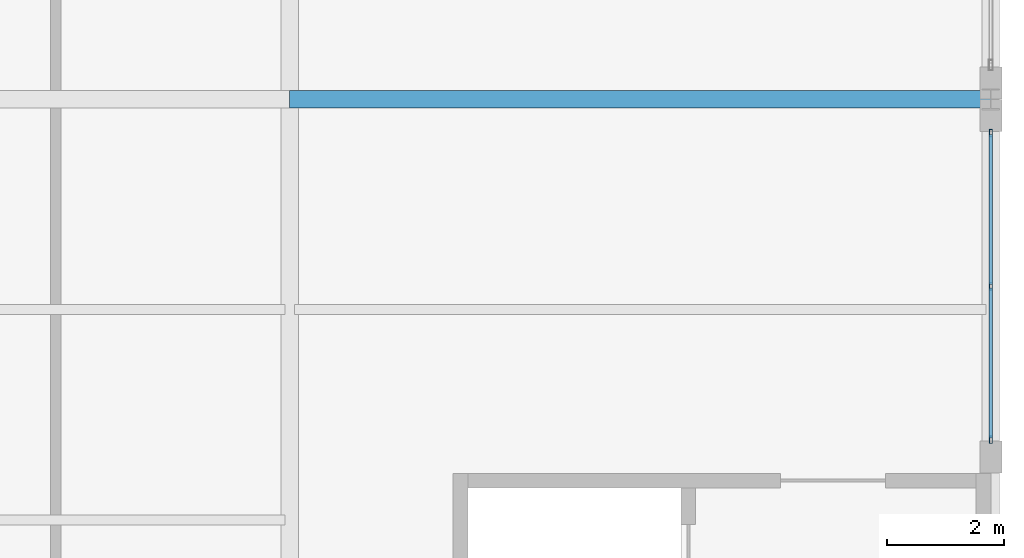
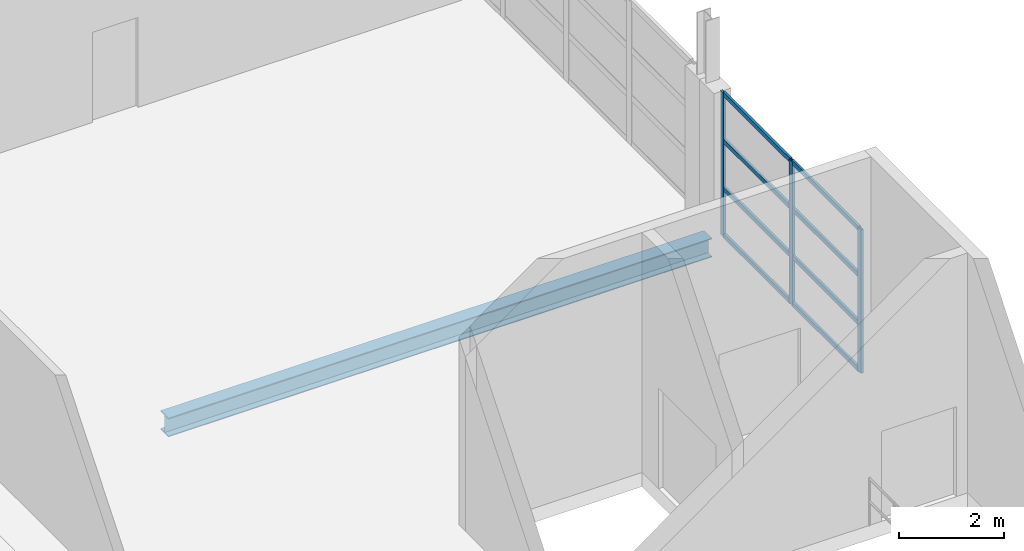
# One storey, part 44 of 86: 11 members, 1 beam, 1 element without a shape of its own.
"""IFC4 building model written with IfcOpenShell, lengths in metres."""

from ifc_helpers import new_model, si_unit, direction, frame, origin, origin_2d, place, context, subcontext, project, spatial, hollow_rectangle, i_section, extrude, material, layer, layer_set, material_profile, profile_set, type_object, element, aggregate, save


model = new_model("IFC4")

# Units and contexts
model_context = context("Model", 3, precision=1e-05, world=origin(), true_north=direction((0.0, 1.0)))
body_context = subcontext(model_context, "Body", "Model", "MODEL_VIEW")
ifc_project = project(units=[si_unit("LENGTHUNIT", "METRE"), si_unit("AREAUNIT", "SQUARE_METRE"), si_unit("VOLUMEUNIT", "CUBIC_METRE"), si_unit("PLANEANGLEUNIT", "RADIAN"), si_unit("MASSUNIT", "GRAM", prefix="KILO")], contexts=[model_context])

# Site, building, storey
site_placement = place(None, origin())
site = spatial("IfcSite", under=ifc_project, at=site_placement, CompositionType="ELEMENT")
building_placement = place(site_placement, origin())
building = spatial("IfcBuilding", under=site, at=building_placement, Name="Zilviju Railside Exhibition Hall", CompositionType="ELEMENT")
storey_placement = place(building_placement, frame((0.0, 0.0, 12.60009765625)))
storey = spatial("IfcBuildingStorey", under=building, at=storey_placement, Name="L04", CompositionType="ELEMENT", Elevation=12.60009765625)

# Beam
ifc_material_1 = material(Name="Steel S355J2", Category="steel")
ifc_material_profile_1 = material_profile(ifc_material_1, i_section(OverallWidth=0.300048828125, OverallDepth=0.43994140625, WebThickness=0.011474609375, FlangeThickness=0.02099609375, at=origin_2d()), Name="HEA 450")
ifc_profile_set_1 = profile_set([ifc_material_profile_1], Name="Steel S355J2")
beam_type = type_object("IfcBeamType", Name="BM-HEA450", PredefinedType="BEAM", material=ifc_profile_set_1)
beam_placement = place(storey_placement, frame((204.0, 120.0, -0.550048828125), z_axis=(1.0, 0.0, 0.0), x_axis=(0.0, 1.0, 0.0)))
element("IfcBeam", 1, at=beam_placement, inside=storey, type_object=beam_type, Name="Primary Girder L04 Y=120.0 (204.0..216.0)", PredefinedType="BEAM", context=body_context, shape_type="SweptSolid", body=[
    extrude(i_section(OverallWidth=0.300048828125, OverallDepth=0.43994140625, WebThickness=0.011474609375, FlangeThickness=0.02099609375, at=origin_2d()), origin(), (0.0, 0.0, 1.0), 12.0),
])

# Curtain wall, members
ifc_material_2 = material(Name="Thermally broken aluminium-steel triple-glazed curtain wall", Category="steel")
ifc_layer = layer(ifc_material_2, 0.179931640625)
ifc_layer_set = layer_set([ifc_layer], Name="Thermally broken aluminium-steel triple-glazed curtain wall")
curtain_wall_type = type_object("IfcCurtainWallType", Name="CW-BAY-14", PredefinedType="USERDEFINED", material=ifc_layer_set)
curtain_wall_placement = place(storey_placement, origin())
curtain_wall = element("IfcCurtainWall", 2, at=curtain_wall_placement, inside=storey, type_object=curtain_wall_type, Name="North Hall East Glazed Gable L04 (114..120)", ObjectType="GLAZED CURTAIN WALL", PredefinedType="USERDEFINED")
ifc_material_3 = material(Name="Thermally broken anodized aluminium mullion", Category="aluminium")
ifc_material_profile_2 = material_profile(ifc_material_3, hollow_rectangle(XDim=0.054931640625, YDim=0.1298828125, WallThickness=0.0048828125, at=origin_2d()), Name="MULLION 130x55x5")
ifc_profile_set_2 = profile_set([ifc_material_profile_2], Name="Thermally broken anodized aluminium mullion")
member_type_1 = type_object("IfcMemberType", Name="CWM-55x130", PredefinedType="MULLION", material=ifc_profile_set_2)
member_1_placement = place(storey_placement, frame((216.0, 119.422607421875, 0.0), z_axis=(0.0, 0.0, 1.0), x_axis=(1.0, 0.0, 0.0)))
member_1 = element("IfcMember", 3, at=member_1_placement, type_object=member_type_1, Name="CW-14 mullion 1", PredefinedType="MULLION", context=body_context, shape_type="SweptSolid", body=[
    extrude(hollow_rectangle(XDim=0.054931640625, YDim=0.1298828125, WallThickness=0.0048828125, at=origin_2d()), origin(), (0.0, 0.0, 1.0), 3.349853515625),
])
member_2_placement = place(storey_placement, frame((216.0, 116.800048828125, 0.0), z_axis=(0.0, 0.0, 1.0), x_axis=(1.0, 0.0, 0.0)))
member_2 = element("IfcMember", 4, at=member_2_placement, type_object=member_type_1, Name="CW-14 mullion 2", PredefinedType="MULLION", context=body_context, shape_type="SweptSolid", body=[
    extrude(hollow_rectangle(XDim=0.054931640625, YDim=0.1298828125, WallThickness=0.0048828125, at=origin_2d()), origin(), (0.0, 0.0, 1.0), 3.349853515625),
])
member_3_placement = place(storey_placement, frame((216.0, 114.177490234375, 0.0), z_axis=(0.0, 0.0, 1.0), x_axis=(1.0, 0.0, 0.0)))
member_3 = element("IfcMember", 5, at=member_3_placement, type_object=member_type_1, Name="CW-14 mullion 3", PredefinedType="MULLION", context=body_context, shape_type="SweptSolid", body=[
    extrude(hollow_rectangle(XDim=0.054931640625, YDim=0.1298828125, WallThickness=0.0048828125, at=origin_2d()), origin(), (0.0, 0.0, 1.0), 3.349853515625),
])
ifc_material_4 = material(Name="Thermally broken anodized aluminium transom", Category="aluminium")
ifc_material_profile_3 = material_profile(ifc_material_4, hollow_rectangle(XDim=0.054931640625, YDim=0.10498046875, WallThickness=0.0048828125, at=origin_2d()), Name="TRANSOM 105x55x5")
ifc_profile_set_3 = profile_set([ifc_material_profile_3], Name="Thermally broken anodized aluminium transom")
member_type_2 = type_object("IfcMemberType", Name="CWT-55x105", PredefinedType="USERDEFINED", material=ifc_profile_set_3)
member_4_placement = place(storey_placement, frame((216.0, 119.39501953125, 0.02734375), z_axis=(0.0, -1.0, 0.0), x_axis=(1.0, 0.0, 0.0)))
member_4 = element("IfcMember", 6, at=member_4_placement, type_object=member_type_2, Name="CW-14 transom 1.1", ObjectType="TRANSOM", PredefinedType="USERDEFINED", context=body_context, shape_type="SweptSolid", body=[
    extrude(hollow_rectangle(XDim=0.054931640625, YDim=0.10498046875, WallThickness=0.0048828125, at=origin_2d()), origin(), (0.0, 0.0, 1.0), 2.567626953125),
])
member_5_placement = place(storey_placement, frame((216.0, 119.39501953125, 1.116943359375), z_axis=(0.0, -1.0, 0.0), x_axis=(1.0, 0.0, 0.0)))
member_5 = element("IfcMember", 7, at=member_5_placement, type_object=member_type_2, Name="CW-14 transom 1.2", ObjectType="TRANSOM", PredefinedType="USERDEFINED", context=body_context, shape_type="SweptSolid", body=[
    extrude(hollow_rectangle(XDim=0.054931640625, YDim=0.10498046875, WallThickness=0.0048828125, at=origin_2d()), origin(), (0.0, 0.0, 1.0), 2.567626953125),
])
member_6_placement = place(storey_placement, frame((216.0, 119.39501953125, 2.23291015625), z_axis=(0.0, -1.0, 0.0), x_axis=(1.0, 0.0, 0.0)))
member_6 = element("IfcMember", 8, at=member_6_placement, type_object=member_type_2, Name="CW-14 transom 1.3", ObjectType="TRANSOM", PredefinedType="USERDEFINED", context=body_context, shape_type="SweptSolid", body=[
    extrude(hollow_rectangle(XDim=0.054931640625, YDim=0.10498046875, WallThickness=0.0048828125, at=origin_2d()), origin(), (0.0, 0.0, 1.0), 2.567626953125),
])
member_7_placement = place(storey_placement, frame((216.0, 119.39501953125, 3.322509765625), z_axis=(0.0, -1.0, 0.0), x_axis=(1.0, 0.0, 0.0)))
member_7 = element("IfcMember", 9, at=member_7_placement, type_object=member_type_2, Name="CW-14 transom 1.4", ObjectType="TRANSOM", PredefinedType="USERDEFINED", context=body_context, shape_type="SweptSolid", body=[
    extrude(hollow_rectangle(XDim=0.054931640625, YDim=0.10498046875, WallThickness=0.0048828125, at=origin_2d()), origin(), (0.0, 0.0, 1.0), 2.567626953125),
])
member_8_placement = place(storey_placement, frame((216.0, 116.7724609375, 0.02734375), z_axis=(0.0, -1.0, 0.0), x_axis=(1.0, 0.0, 0.0)))
member_8 = element("IfcMember", 10, at=member_8_placement, type_object=member_type_2, Name="CW-14 transom 2.1", ObjectType="TRANSOM", PredefinedType="USERDEFINED", context=body_context, shape_type="SweptSolid", body=[
    extrude(hollow_rectangle(XDim=0.054931640625, YDim=0.10498046875, WallThickness=0.0048828125, at=origin_2d()), origin(), (0.0, 0.0, 1.0), 2.5673828125),
])
member_9_placement = place(storey_placement, frame((216.0, 116.7724609375, 1.116943359375), z_axis=(0.0, -1.0, 0.0), x_axis=(1.0, 0.0, 0.0)))
member_9 = element("IfcMember", 11, at=member_9_placement, type_object=member_type_2, Name="CW-14 transom 2.2", ObjectType="TRANSOM", PredefinedType="USERDEFINED", context=body_context, shape_type="SweptSolid", body=[
    extrude(hollow_rectangle(XDim=0.054931640625, YDim=0.10498046875, WallThickness=0.0048828125, at=origin_2d()), origin(), (0.0, 0.0, 1.0), 2.5673828125),
])
member_10_placement = place(storey_placement, frame((216.0, 116.7724609375, 2.23291015625), z_axis=(0.0, -1.0, 0.0), x_axis=(1.0, 0.0, 0.0)))
member_10 = element("IfcMember", 12, at=member_10_placement, type_object=member_type_2, Name="CW-14 transom 2.3", ObjectType="TRANSOM", PredefinedType="USERDEFINED", context=body_context, shape_type="SweptSolid", body=[
    extrude(hollow_rectangle(XDim=0.054931640625, YDim=0.10498046875, WallThickness=0.0048828125, at=origin_2d()), origin(), (0.0, 0.0, 1.0), 2.5673828125),
])
member_11_placement = place(storey_placement, frame((216.0, 116.7724609375, 3.322509765625), z_axis=(0.0, -1.0, 0.0), x_axis=(1.0, 0.0, 0.0)))
member_11 = element("IfcMember", 13, at=member_11_placement, type_object=member_type_2, Name="CW-14 transom 2.4", ObjectType="TRANSOM", PredefinedType="USERDEFINED", context=body_context, shape_type="SweptSolid", body=[
    extrude(hollow_rectangle(XDim=0.054931640625, YDim=0.10498046875, WallThickness=0.0048828125, at=origin_2d()), origin(), (0.0, 0.0, 1.0), 2.5673828125),
])
aggregate(curtain_wall, [member_1, member_2, member_3, member_4, member_5, member_6, member_7, member_8, member_9, member_10, member_11])

save(model, "model.ifc")
